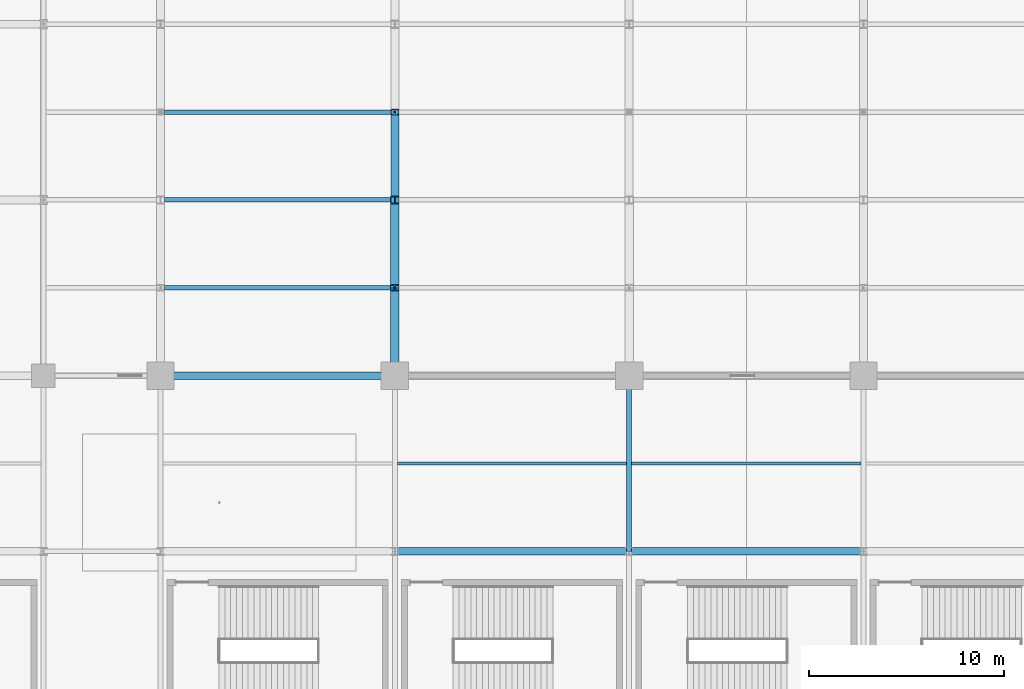
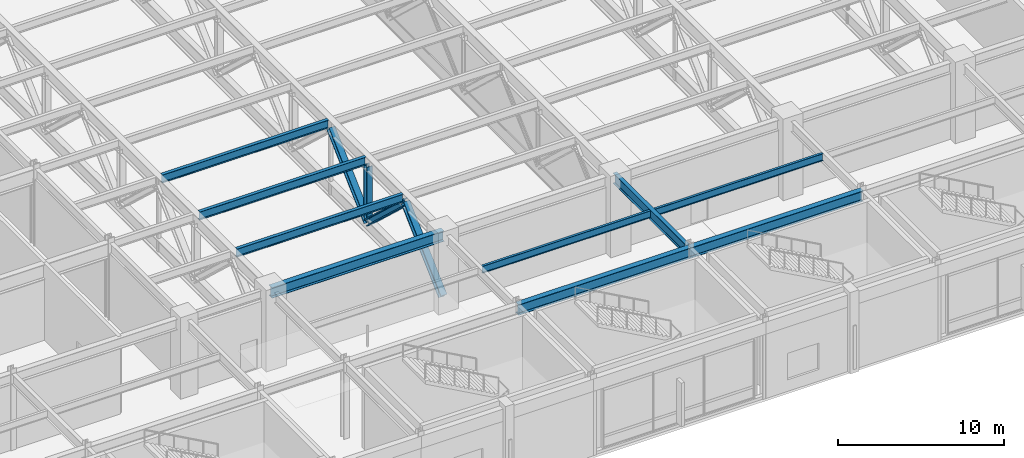
# One storey, part 25 of 108: 9 beams, 4 members.
"""IFC4 building model written with IfcOpenShell, lengths in metres."""

from ifc_helpers import new_model, si_unit, direction, frame, origin, origin_2d, place, context, subcontext, project, spatial, i_section, extrude, material, material_profile, profile_set, type_object, element, save


model = new_model("IFC4")

# Units and contexts
model_context = context("Model", 3, precision=1e-05, world=origin(), true_north=direction((0.0, 1.0)))
body_context = subcontext(model_context, "Body", "Model", "MODEL_VIEW")
ifc_project = project(units=[si_unit("LENGTHUNIT", "METRE"), si_unit("AREAUNIT", "SQUARE_METRE"), si_unit("VOLUMEUNIT", "CUBIC_METRE"), si_unit("PLANEANGLEUNIT", "RADIAN"), si_unit("MASSUNIT", "GRAM", prefix="KILO")], contexts=[model_context])

# Site, building, storey
site_placement = place(None, origin())
site = spatial("IfcSite", under=ifc_project, at=site_placement, CompositionType="ELEMENT")
building_placement = place(site_placement, origin())
building = spatial("IfcBuilding", under=site, at=building_placement, Name="Kaldorvane Square Convention Centre", CompositionType="ELEMENT")
storey_placement = place(building_placement, frame((0.0, 0.0, 12.0)))
storey = spatial("IfcBuildingStorey", under=building, at=storey_placement, Name="L02", CompositionType="ELEMENT", Elevation=12.0)

# Beams
ifc_material = material(Name="Steel ASTM A992 Gr. 50", Category="steel")
ifc_material_profile_1 = material_profile(ifc_material, i_section(OverallWidth=0.2666015625, OverallDepth=0.762298583984375, WebThickness=0.014404296875, FlangeThickness=0.0216064453125, FilletRadius=0.0164947509765625, at=origin_2d()), Name="W30X116")
ifc_profile_set_1 = profile_set([ifc_material_profile_1], Name="Steel ASTM A992 Gr. 50")
beam_type_1 = type_object("IfcBeamType", Name="BM-GR-W30X116", PredefinedType="BEAM", material=ifc_profile_set_1)
beam_placement = place(storey_placement, frame((54.0, 9.0, 5.264801025390625), z_axis=(0.0, 1.0, 0.0), x_axis=(-1.0, 0.0, 0.0)))
element("IfcBeam", 1, at=beam_placement, inside=storey, type_object=beam_type_1, Name="Transverse Girder (L02)", PredefinedType="BEAM", context=body_context, shape_type="SweptSolid", body=[
    extrude(i_section(OverallWidth=0.2666015625, OverallDepth=0.762298583984375, WebThickness=0.014404296875, FlangeThickness=0.0216064453125, FilletRadius=0.0164947509765625, at=origin_2d()), origin(), (0.0, 0.0, 1.0), 9.0),
])
ifc_material_profile_2 = material_profile(ifc_material, i_section(OverallWidth=0.380706787109375, OverallDepth=0.773193359375, WebThickness=0.0166015625, FlangeThickness=0.027099609375, FilletRadius=0.0164947509765625, at=origin_2d()), Name="W30X173")
ifc_profile_set_2 = profile_set([ifc_material_profile_2], Name="Steel ASTM A992 Gr. 50")
beam_type_2 = type_object("IfcBeamType", Name="BM-GR-W30X173", PredefinedType="BEAM", material=ifc_profile_set_2)
for number, where, z_axis, x_axis, name in (
    (2, (42.0, 9.0, 5.2593994140625), (1.0, 0.0, 0.0), (0.0, 1.0, 0.0), "Primary Girder (L02)"),
    (3, (54.0, 9.0, 5.2593994140625), (1.0, 0.0, 0.0), (0.0, 1.0, 0.0), "Primary Girder (L02)"),
    (4, (30.0, 18.0, 5.2593994140625), (1.0, 0.0, 0.0), (0.0, 1.0, 0.0), "Primary Girder (L02)"),
):
    element("IfcBeam", number, at=place(storey_placement, frame(where, z_axis=z_axis, x_axis=x_axis)), inside=storey, type_object=beam_type_2, Name=name, PredefinedType="BEAM", context=body_context, shape_type="SweptSolid", body=[
        extrude(i_section(OverallWidth=0.380706787109375, OverallDepth=0.773193359375, WebThickness=0.0166015625, FlangeThickness=0.027099609375, FilletRadius=0.0164947509765625, at=origin_2d()), origin(), (0.0, 0.0, 1.0), 12.0),
    ])
ifc_material_profile_3 = material_profile(ifc_material, i_section(OverallWidth=0.1658935546875, OverallDepth=0.5290985107421875, WebThickness=0.00970458984375, FlangeThickness=0.0135955810546875, FilletRadius=0.0126953125, at=origin_2d()), Name="W21X50")
ifc_profile_set_3 = profile_set([ifc_material_profile_3], Name="Steel ASTM A992 Gr. 50")
beam_type_3 = type_object("IfcBeamType", Name="BM-JS-W21X50", PredefinedType="JOIST", material=ifc_profile_set_3)
for number, where, z_axis, x_axis, name in (
    (5, (42.13330078125, 13.5, 5.3813934326171875), (1.0, 0.0, 0.0), (0.0, 1.0, 0.0), "Secondary Floor Joist (L02)"),
    (6, (54.13330078125, 13.5, 5.3813934326171875), (1.0, 0.0, 0.0), (0.0, 1.0, 0.0), "Secondary Floor Joist (L02)"),
):
    element("IfcBeam", number, at=place(storey_placement, frame(where, z_axis=z_axis, x_axis=x_axis)), inside=storey, type_object=beam_type_3, Name=name, PredefinedType="JOIST", context=body_context, shape_type="SweptSolid", body=[
        extrude(i_section(OverallWidth=0.1658935546875, OverallDepth=0.5290985107421875, WebThickness=0.00970458984375, FlangeThickness=0.0135955810546875, FilletRadius=0.0126953125, at=origin_2d()), origin(), (0.0, 0.0, 1.0), 11.7333984375),
    ])
ifc_material_profile_4 = material_profile(ifc_material, i_section(OverallWidth=0.2277069091796875, OverallDepth=0.6027069091796875, WebThickness=0.010498046875, FlangeThickness=0.014892578125, FilletRadius=0.0126953125, at=origin_2d()), Name="W24X68")
ifc_profile_set_4 = profile_set([ifc_material_profile_4], Name="Steel ASTM A992 Gr. 50")
beam_type_4 = type_object("IfcBeamType", Name="BM-JS-W24X68", PredefinedType="JOIST", material=ifc_profile_set_4)
for number, where, z_axis, x_axis, name in (
    (7, (30.204803466796875, 22.5, 5.3446044921875), (1.0, 0.0, 0.0), (0.0, 1.0, 0.0), "Hall Composite Floor Joist (L02)"),
    (8, (30.204803466796875, 27.0, 5.3446044921875), (1.0, 0.0, 0.0), (0.0, 1.0, 0.0), "Hall Composite Floor Joist (L02)"),
    (9, (30.204803466796875, 31.5, 5.3446044921875), (1.0, 0.0, 0.0), (0.0, 1.0, 0.0), "Hall Composite Floor Joist (L02)"),
):
    element("IfcBeam", number, at=place(storey_placement, frame(where, z_axis=z_axis, x_axis=x_axis)), inside=storey, type_object=beam_type_4, Name=name, PredefinedType="JOIST", context=body_context, shape_type="SweptSolid", body=[
        extrude(i_section(OverallWidth=0.2277069091796875, OverallDepth=0.6027069091796875, WebThickness=0.010498046875, FlangeThickness=0.014892578125, FilletRadius=0.0126953125, at=origin_2d()), origin(), (0.0, 0.0, 1.0), 11.59039306640625),
    ])

# Members
ifc_material_profile_5 = material_profile(ifc_material, i_section(OverallWidth=0.412200927734375, OverallDepth=0.4347991943359375, WebThickness=0.035797119140625, FlangeThickness=0.057403564453125, FilletRadius=0.0305023193359375, at=origin_2d()), Name="W14X311")
ifc_profile_set_5 = profile_set([ifc_material_profile_5], Name="Steel ASTM A992 Gr. 50")
member_type_1 = type_object("IfcMemberType", Name="MB-BR-W14X311", PredefinedType="BRACE", material=ifc_profile_set_5)
member_1_placement = place(storey_placement, frame((42.0, 27.0, 0.7299957275390625), z_axis=(0.0, 0.731436442842, 0.681909620172), x_axis=(-1.0, 0.0, 0.0)))
element("IfcMember", 10, at=member_1_placement, inside=storey, type_object=member_type_1, Name="Transfer Truss TT-02 Web Diagonal 2A", PredefinedType="BRACE", context=body_context, shape_type="SweptSolid", body=[
    extrude(i_section(OverallWidth=0.412200927734375, OverallDepth=0.4347991943359375, WebThickness=0.035797119140625, FlangeThickness=0.057403564453125, FilletRadius=0.0305023193359375, at=origin_2d()), origin(), (0.0, 0.0, 1.0), 6.15228271484375),
])
ifc_material_profile_6 = material_profile(ifc_material, i_section(OverallWidth=0.4214019775390625, OverallDepth=0.4647979736328125, WebThickness=0.0449981689453125, FlangeThickness=0.072296142578125, FilletRadius=0.0305023193359375, at=origin_2d()), Name="W14X398")
ifc_profile_set_6 = profile_set([ifc_material_profile_6], Name="Steel ASTM A992 Gr. 50")
member_type_2 = type_object("IfcMemberType", Name="MB-BR-W14X398", PredefinedType="BRACE", material=ifc_profile_set_6)
for number, where, z_axis, x_axis, name in (
    (11, (42.0, 18.0, 0.7299957275390625), (0.0, 0.731436442842, 0.681909620172), (-1.0, 0.0, 0.0), "Transfer Truss TT-02 Web Diagonal 1A"),
    (12, (42.0, 22.5, 4.92529296875), (0.0, 0.731436442842, -0.681909620172), (-1.0, 0.0, 0.0), "Transfer Truss TT-02 Web Diagonal 1B"),
):
    element("IfcMember", number, at=place(storey_placement, frame(where, z_axis=z_axis, x_axis=x_axis)), inside=storey, type_object=member_type_2, Name=name, PredefinedType="BRACE", context=body_context, shape_type="SweptSolid", body=[
        extrude(i_section(OverallWidth=0.4214019775390625, OverallDepth=0.4647979736328125, WebThickness=0.0449981689453125, FlangeThickness=0.072296142578125, FilletRadius=0.0305023193359375, at=origin_2d()), origin(), (0.0, 0.0, 1.0), 6.15228271484375),
    ])
ifc_material_profile_7 = material_profile(ifc_material, i_section(OverallWidth=0.3990020751953125, OverallDepth=0.3932037353515625, WebThickness=0.0225982666015625, FlangeThickness=0.0366058349609375, FilletRadius=0.0305023193359375, at=origin_2d()), Name="W14X193")
ifc_profile_set_7 = profile_set([ifc_material_profile_7], Name="Steel ASTM A992 Gr. 50")
member_type_3 = type_object("IfcMemberType", Name="MB-PS-W14X193", PredefinedType="POST", material=ifc_profile_set_7)
member_2_placement = place(storey_placement, frame((42.0, 27.0, 1.0099945068359375), z_axis=(0.0, 0.0, 1.0), x_axis=(1.0, 0.0, 0.0)))
element("IfcMember", 13, at=member_2_placement, inside=storey, type_object=member_type_3, Name="Transfer Truss TT-02 Vertical Post 1", PredefinedType="POST", context=body_context, shape_type="SweptSolid", body=[
    extrude(i_section(OverallWidth=0.3990020751953125, OverallDepth=0.3932037353515625, WebThickness=0.0225982666015625, FlangeThickness=0.0366058349609375, FilletRadius=0.0305023193359375, at=origin_2d()), origin(), (0.0, 0.0, 1.0), 3.9152984619140625),
])

save(model, "model.ifc")
